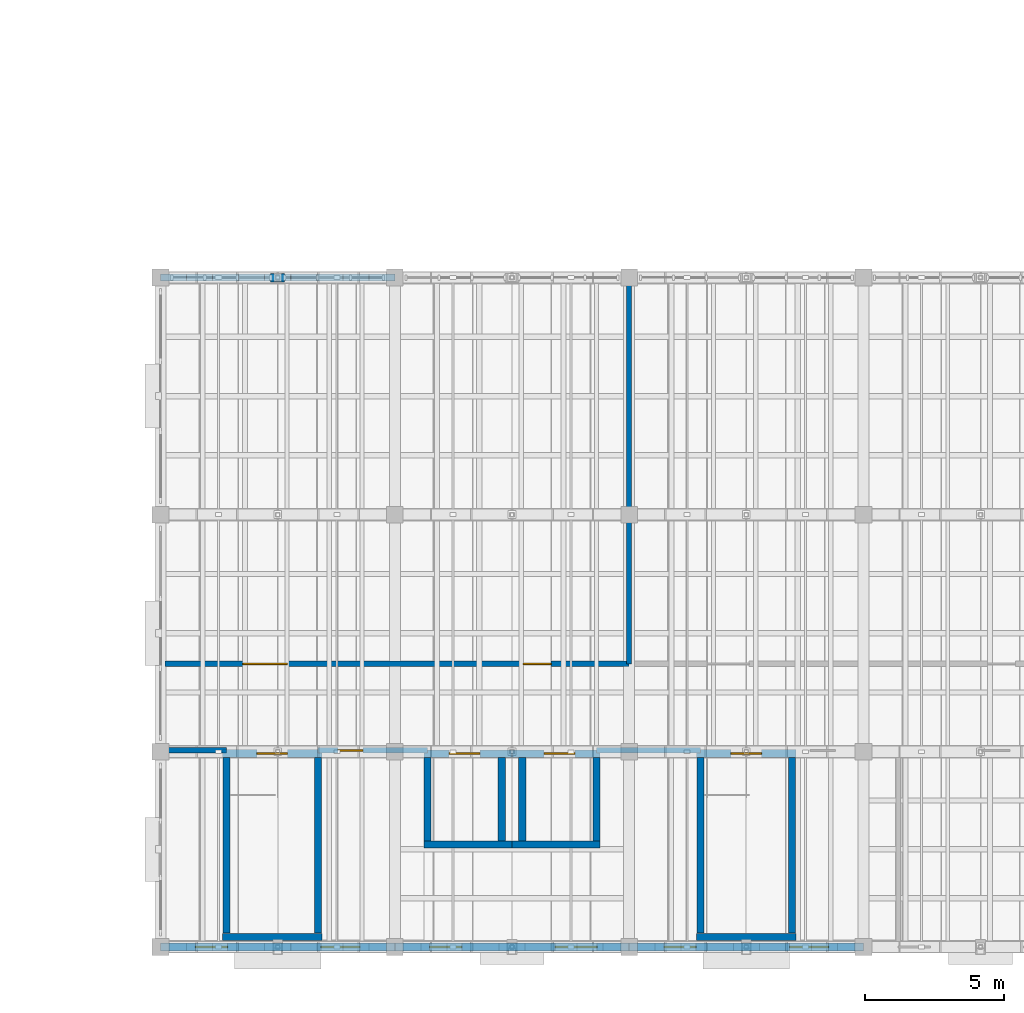
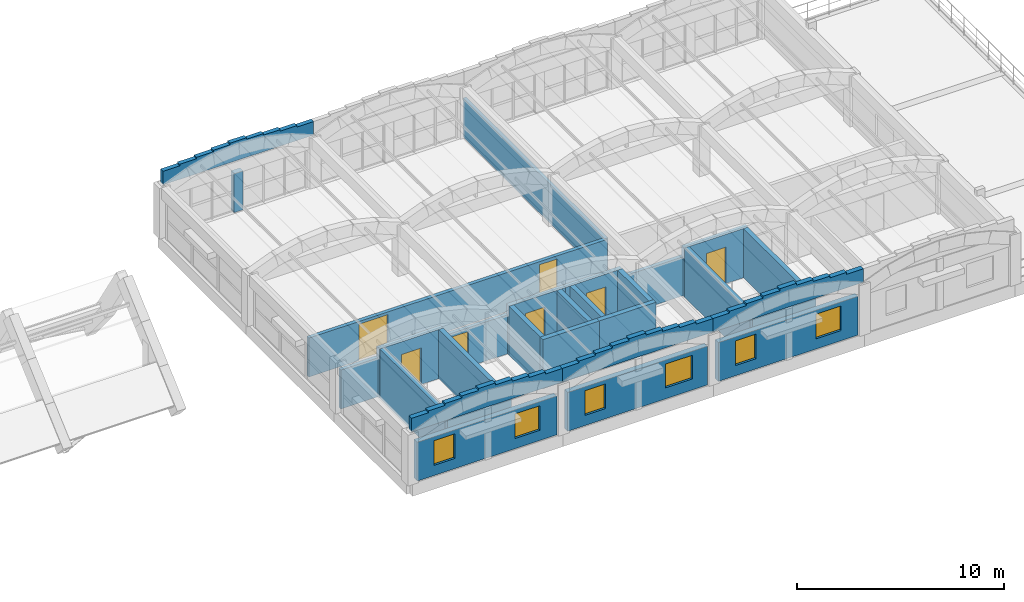
# One storey, part 30 of 40: 29 walls, 7 doors, 6 windows, 13 openings.
"""IFC4 building model written with IfcOpenShell, lengths in metres."""

from ifc_helpers import new_model, si_unit, direction, frame, frame_2d, origin, place, context, subcontext, project, spatial, polyline, rectangle, outline, extrude, material, layer, layer_set, type_object, element, fill, save


model = new_model("IFC4")

# Units and contexts
model_context = context("Model", 3, precision=1e-05, world=origin(), true_north=direction((0.0, 1.0)))
body_context = subcontext(model_context, "Body", "Model", "MODEL_VIEW")
ifc_project = project(units=[si_unit("LENGTHUNIT", "METRE"), si_unit("AREAUNIT", "SQUARE_METRE"), si_unit("VOLUMEUNIT", "CUBIC_METRE"), si_unit("PLANEANGLEUNIT", "RADIAN"), si_unit("MASSUNIT", "GRAM", prefix="KILO")], contexts=[model_context])

# Site, building, storey
site_placement = place(None, origin())
site = spatial("IfcSite", under=ifc_project, at=site_placement, CompositionType="ELEMENT")
building_placement = place(site_placement, origin())
building = spatial("IfcBuilding", under=site, at=building_placement, Name="Trellovar Central Fire Station", CompositionType="ELEMENT")
storey_placement = place(building_placement, frame((0.0, 0.0, 12.75)))
storey = spatial("IfcBuildingStorey", under=building, at=storey_placement, Name="L04", CompositionType="ELEMENT", Elevation=12.75)

# Wall, openings, windows
ifc_material_1 = material(Name="Glazed ceramic trencadis and terracotta panel", Category="masonry")
ifc_layer_1 = layer(ifc_material_1, 0.300048828125)
ifc_layer_set_1 = layer_set([ifc_layer_1], Name="Glazed ceramic trencadis and terracotta panel")
wall_type_1 = type_object("IfcWallType", Name="EW-4", PredefinedType="STANDARD", material=ifc_layer_set_1)
wall_1_placement = place(storey_placement, frame((105.800048828125, 9.0, 0.0), z_axis=(0.0, 0.0, 1.0), x_axis=(1.0, 0.0, 0.0)))
wall_1 = element("IfcWall", 1, at=wall_1_placement, inside=storey, type_object=wall_type_1, Name="V5 L04 south wall 1", PredefinedType="STANDARD", context=body_context, shape_type="SweptSolid", body=[
    extrude(rectangle(XDim=7.800048828125, YDim=0.300048828125, at=frame_2d((3.89990234375, 0.0))), origin(), (0.0, 0.0, 1.0), 2.2900390625),
])
opening_1_placement = place(wall_1_placement, frame((0.949951171875, 0.0, 0.60009765625)))
opening_1 = element("IfcOpeningElement", 2, at=opening_1_placement, cuts=wall_1, Name="Opening W-01", PredefinedType="OPENING", context=body_context, shape_type="SweptSolid", body=[
    extrude(rectangle(XDim=1.14990234375, YDim=1.449951171875, at=frame_2d((0.574951171875, 0.72509765625))), frame((0.0, 0.159912109375, 0.0), z_axis=(0.0, -1.0, 0.0), x_axis=(1.0, 0.0, 0.0)), (0.0, 0.0, 1.0), 0.320068359375),
])
opening_2_placement = place(wall_1_placement, frame((5.449951171875, 0.0, 0.60009765625)))
opening_2 = element("IfcOpeningElement", 3, at=opening_2_placement, cuts=wall_1, Name="Opening W-22", PredefinedType="OPENING", context=body_context, shape_type="SweptSolid", body=[
    extrude(rectangle(XDim=1.39990234375, YDim=1.449951171875, at=frame_2d((0.699951171875, 0.72509765625))), frame((0.0, 0.159912109375, 0.0), z_axis=(0.0, -1.0, 0.0), x_axis=(1.0, 0.0, 0.0)), (0.0, 0.0, 1.0), 0.320068359375),
])
ifc_material_2 = material(Name="Thermally broken bronze anodized aluminum", Category="aluminium")
window_type_1 = type_object("IfcWindowType", Name="WIN-01", PartitioningType="SINGLE_PANEL", PredefinedType="WINDOW", material=ifc_material_2)
window_1_placement = place(opening_1_placement, origin())
window_1 = element("IfcWindow", 4, at=window_1_placement, inside=storey, type_object=window_type_1, Name="L04 window W-01", OverallHeight=1.449951171875, OverallWidth=1.14990234375, PartitioningType="SINGLE_PANEL", PredefinedType="WINDOW", context=body_context, shape_type="SweptSolid", body=[
    extrude(rectangle(XDim=1.14990234375, YDim=1.449951171875, at=frame_2d((0.574951171875, 0.72509765625))), frame((0.0, 0.030029296875, 0.0), z_axis=(0.0, -1.0, 0.0), x_axis=(1.0, 0.0, 0.0)), (0.0, 0.0, 1.0), 0.06005859375),
])
fill(opening_1, window_1)
ifc_material_3 = material(Name="Thermally broken bronze anodized aluminum", Category="aluminium")
window_type_2 = type_object("IfcWindowType", Name="WIN-22", PartitioningType="DOUBLE_PANEL_VERTICAL", PredefinedType="WINDOW", material=ifc_material_3)
window_2_placement = place(opening_2_placement, origin())
window_2 = element("IfcWindow", 5, at=window_2_placement, inside=storey, type_object=window_type_2, Name="L04 window W-22", OverallHeight=1.449951171875, OverallWidth=1.39990234375, PartitioningType="DOUBLE_PANEL_VERTICAL", PredefinedType="WINDOW", context=body_context, shape_type="SweptSolid", body=[
    extrude(rectangle(XDim=1.39990234375, YDim=1.449951171875, at=frame_2d((0.699951171875, 0.72509765625))), frame((0.0, 0.030029296875, 0.0), z_axis=(0.0, -1.0, 0.0), x_axis=(1.0, 0.0, 0.0)), (0.0, 0.0, 1.0), 0.06005859375),
])
fill(opening_2, window_2)

wall_2_placement = place(storey_placement, frame((114.199951171875, 9.0, 0.0), z_axis=(0.0, 0.0, 1.0), x_axis=(1.0, 0.0, 0.0)))
wall_2 = element("IfcWall", 6, at=wall_2_placement, inside=storey, type_object=wall_type_1, Name="V5 L04 south wall 2", PredefinedType="STANDARD", context=body_context, shape_type="SweptSolid", body=[
    extrude(rectangle(XDim=7.800048828125, YDim=0.300048828125, at=frame_2d((3.89990234375, 0.0))), origin(), (0.0, 0.0, 1.0), 2.2900390625),
])
opening_3_placement = place(wall_2_placement, frame((0.949951171875, 0.0, 0.60009765625)))
opening_3 = element("IfcOpeningElement", 7, at=opening_3_placement, cuts=wall_2, Name="Opening W-01", PredefinedType="OPENING", context=body_context, shape_type="SweptSolid", body=[
    extrude(rectangle(XDim=1.14990234375, YDim=1.449951171875, at=frame_2d((0.574951171875, 0.72509765625))), frame((0.0, 0.159912109375, 0.0), z_axis=(0.0, -1.0, 0.0), x_axis=(1.0, 0.0, 0.0)), (0.0, 0.0, 1.0), 0.320068359375),
])
opening_4_placement = place(wall_2_placement, frame((5.449951171875, 0.0, 0.64990234375)))
opening_4 = element("IfcOpeningElement", 8, at=opening_4_placement, cuts=wall_2, Name="Opening W-18", PredefinedType="OPENING", context=body_context, shape_type="SweptSolid", body=[
    extrude(rectangle(XDim=1.5, YDim=1.39990234375, at=frame_2d((0.75, 0.699951171875))), frame((0.0, 0.159912109375, 0.0), z_axis=(0.0, -1.0, 0.0), x_axis=(1.0, 0.0, 0.0)), (0.0, 0.0, 1.0), 0.320068359375),
])
window_3_placement = place(opening_3_placement, origin())
window_3 = element("IfcWindow", 9, at=window_3_placement, inside=storey, type_object=window_type_1, Name="L04 window W-01", OverallHeight=1.449951171875, OverallWidth=1.14990234375, PartitioningType="SINGLE_PANEL", PredefinedType="WINDOW", context=body_context, shape_type="SweptSolid", body=[
    extrude(rectangle(XDim=1.14990234375, YDim=1.449951171875, at=frame_2d((0.574951171875, 0.72509765625))), frame((0.0, 0.030029296875, 0.0), z_axis=(0.0, -1.0, 0.0), x_axis=(1.0, 0.0, 0.0)), (0.0, 0.0, 1.0), 0.06005859375),
])
fill(opening_3, window_3)
ifc_material_4 = material(Name="Thermally broken bronze anodized aluminum", Category="aluminium")
window_type_3 = type_object("IfcWindowType", Name="WIN-18", PartitioningType="DOUBLE_PANEL_VERTICAL", PredefinedType="WINDOW", material=ifc_material_4)
window_4_placement = place(opening_4_placement, origin())
window_4 = element("IfcWindow", 10, at=window_4_placement, inside=storey, type_object=window_type_3, Name="L04 window W-18", OverallHeight=1.39990234375, OverallWidth=1.5, PartitioningType="DOUBLE_PANEL_VERTICAL", PredefinedType="WINDOW", context=body_context, shape_type="SweptSolid", body=[
    extrude(rectangle(XDim=1.5, YDim=1.39990234375, at=frame_2d((0.75, 0.699951171875))), frame((0.0, 0.030029296875, 0.0), z_axis=(0.0, -1.0, 0.0), x_axis=(1.0, 0.0, 0.0)), (0.0, 0.0, 1.0), 0.06005859375),
])
fill(opening_4, window_4)

wall_3_placement = place(storey_placement, frame((122.60009765625, 9.0, 0.0), z_axis=(0.0, 0.0, 1.0), x_axis=(1.0, 0.0, 0.0)))
wall_3 = element("IfcWall", 11, at=wall_3_placement, inside=storey, type_object=wall_type_1, Name="V5 L04 south wall 3", PredefinedType="STANDARD", context=body_context, shape_type="SweptSolid", body=[
    extrude(rectangle(XDim=7.7998046875, YDim=0.300048828125, at=frame_2d((3.89990234375, 0.0))), origin(), (0.0, 0.0, 1.0), 2.2900390625),
])
opening_5_placement = place(wall_3_placement, frame((0.949951171875, 0.0, 0.60009765625)))
opening_5 = element("IfcOpeningElement", 12, at=opening_5_placement, cuts=wall_3, Name="Opening W-01", PredefinedType="OPENING", context=body_context, shape_type="SweptSolid", body=[
    extrude(rectangle(XDim=1.14990234375, YDim=1.449951171875, at=frame_2d((0.574951171875, 0.72509765625))), frame((0.0, 0.159912109375, 0.0), z_axis=(0.0, -1.0, 0.0), x_axis=(1.0, 0.0, 0.0)), (0.0, 0.0, 1.0), 0.320068359375),
])
opening_6_placement = place(wall_3_placement, frame((5.449951171875, 0.0, 0.60009765625)))
opening_6 = element("IfcOpeningElement", 13, at=opening_6_placement, cuts=wall_3, Name="Opening W-22", PredefinedType="OPENING", context=body_context, shape_type="SweptSolid", body=[
    extrude(rectangle(XDim=1.39990234375, YDim=1.449951171875, at=frame_2d((0.699951171875, 0.72509765625))), frame((0.0, 0.159912109375, 0.0), z_axis=(0.0, -1.0, 0.0), x_axis=(1.0, 0.0, 0.0)), (0.0, 0.0, 1.0), 0.320068359375),
])
window_5_placement = place(opening_5_placement, origin())
window_5 = element("IfcWindow", 14, at=window_5_placement, inside=storey, type_object=window_type_1, Name="L04 window W-01", OverallHeight=1.449951171875, OverallWidth=1.14990234375, PartitioningType="SINGLE_PANEL", PredefinedType="WINDOW", context=body_context, shape_type="SweptSolid", body=[
    extrude(rectangle(XDim=1.14990234375, YDim=1.449951171875, at=frame_2d((0.574951171875, 0.72509765625))), frame((0.0, 0.030029296875, 0.0), z_axis=(0.0, -1.0, 0.0), x_axis=(1.0, 0.0, 0.0)), (0.0, 0.0, 1.0), 0.06005859375),
])
fill(opening_5, window_5)
window_6_placement = place(opening_6_placement, origin())
window_6 = element("IfcWindow", 15, at=window_6_placement, inside=storey, type_object=window_type_2, Name="L04 window W-22", OverallHeight=1.449951171875, OverallWidth=1.39990234375, PartitioningType="DOUBLE_PANEL_VERTICAL", PredefinedType="WINDOW", context=body_context, shape_type="SweptSolid", body=[
    extrude(rectangle(XDim=1.39990234375, YDim=1.449951171875, at=frame_2d((0.699951171875, 0.72509765625))), frame((0.0, 0.030029296875, 0.0), z_axis=(0.0, -1.0, 0.0), x_axis=(1.0, 0.0, 0.0)), (0.0, 0.0, 1.0), 0.06005859375),
])
fill(opening_6, window_6)

# Walls
wall_4_placement = place(storey_placement, frame((109.949951171875, 33.0, 0.0), z_axis=(0.0, 0.0, 1.0), x_axis=(-1.0, 0.0, 0.0)))
element("IfcWall", 16, at=wall_4_placement, inside=storey, type_object=wall_type_1, Name="V5 L04 north mullion pier", PredefinedType="STANDARD", context=body_context, shape_type="SweptSolid", body=[
    extrude(rectangle(XDim=0.5, YDim=0.300048828125, at=frame_2d((0.25, 0.0))), origin(), (0.0, 0.0, 1.0), 2.2900390625),
])
ifc_material_5 = material(Name="Catalan polychrome brickwork with insulated cavity", Category="masonry")
ifc_layer_2 = layer(ifc_material_5, 0.280029296875)
ifc_layer_set_2 = layer_set([ifc_layer_2], Name="Catalan polychrome brickwork with insulated cavity")
wall_type_2 = type_object("IfcWallType", Name="PAR-1", PredefinedType="PARAPET", material=ifc_layer_set_2)
wall_5_placement = place(storey_placement, frame((105.5, 9.0, 3.0), z_axis=(0.0, 0.0, 1.0), x_axis=(1.0, 0.0, 0.0)))
element("IfcWall", 17, at=wall_5_placement, inside=storey, type_object=wall_type_2, Name="L04 Catalan stepped parapet", PredefinedType="PARAPET", context=body_context, shape_type="SweptSolid", body=[
    extrude(outline(polyline([(0.0, 0.0), (8.39990234375, 0.0), (8.39990234375, 0.800048828125), (7.4677734375, 0.800048828125), (7.466796875, 0.91259765625), (6.5341796875, 0.91259765625), (6.533203125, 1.02490234375), (5.60107421875, 1.02490234375), (5.60009765625, 1.137451171875), (4.667724609375, 1.137451171875), (4.666748046875, 1.25), (3.734375, 1.25), (3.7333984375, 1.137451171875), (2.801025390625, 1.137451171875), (2.800048828125, 1.02490234375), (1.86767578125, 1.02490234375), (1.86669921875, 0.91259765625), (0.934326171875, 0.91259765625), (0.933349609375, 0.800048828125), (0.0, 0.800048828125), (0.0, 0.0)])), frame((0.0, 0.14013671875, 0.0), z_axis=(0.0, -1.0, 0.0), x_axis=(1.0, 0.0, 0.0)), (0.0, 0.0, 1.0), 0.280029296875),
])
wall_6_placement = place(storey_placement, frame((113.89990234375, 9.0, 3.0), z_axis=(0.0, 0.0, 1.0), x_axis=(1.0, 0.0, 0.0)))
element("IfcWall", 18, at=wall_6_placement, inside=storey, type_object=wall_type_2, Name="L04 Catalan stepped parapet", PredefinedType="PARAPET", context=body_context, shape_type="SweptSolid", body=[
    extrude(outline(polyline([(0.0, 0.0), (8.400146484375, 0.0), (8.39990234375, 0.800048828125), (7.4677734375, 0.800048828125), (7.466796875, 0.91259765625), (6.5341796875, 0.91259765625), (6.533203125, 1.02490234375), (5.60107421875, 1.02490234375), (5.60009765625, 1.137451171875), (4.667724609375, 1.137451171875), (4.666748046875, 1.25), (3.734375, 1.25), (3.7333984375, 1.137451171875), (2.801025390625, 1.137451171875), (2.800048828125, 1.02490234375), (1.86767578125, 1.02490234375), (1.86669921875, 0.91259765625), (0.934326171875, 0.91259765625), (0.933349609375, 0.800048828125), (0.0, 0.800048828125), (0.0, 0.0)])), frame((0.0, 0.14013671875, 0.0), z_axis=(0.0, -1.0, 0.0), x_axis=(1.0, 0.0, 0.0)), (0.0, 0.0, 1.0), 0.280029296875),
])
wall_7_placement = place(storey_placement, frame((122.300048828125, 9.0, 3.0), z_axis=(0.0, 0.0, 1.0), x_axis=(1.0, 0.0, 0.0)))
element("IfcWall", 19, at=wall_7_placement, inside=storey, type_object=wall_type_2, Name="L04 Catalan stepped parapet", PredefinedType="PARAPET", context=body_context, shape_type="SweptSolid", body=[
    extrude(outline(polyline([(0.0, 0.0), (8.39990234375, 0.0), (8.39990234375, 0.800048828125), (7.4677734375, 0.800048828125), (7.466796875, 0.91259765625), (6.5341796875, 0.91259765625), (6.533203125, 1.02490234375), (5.60107421875, 1.02490234375), (5.60009765625, 1.137451171875), (4.667724609375, 1.137451171875), (4.666748046875, 1.25), (3.734375, 1.25), (3.7333984375, 1.137451171875), (2.801025390625, 1.137451171875), (2.800048828125, 1.02490234375), (1.86767578125, 1.02490234375), (1.86669921875, 0.91259765625), (0.934326171875, 0.91259765625), (0.933349609375, 0.800048828125), (0.0, 0.800048828125), (0.0, 0.0)])), frame((0.0, 0.14013671875, 0.0), z_axis=(0.0, -1.0, 0.0), x_axis=(1.0, 0.0, 0.0)), (0.0, 0.0, 1.0), 0.280029296875),
])
ifc_material_6 = material(Name="Glazed ceramic trencadis and terracotta panel", Category="masonry")
ifc_layer_3 = layer(ifc_material_6, 0.239990234375)
ifc_layer_set_3 = layer_set([ifc_layer_3], Name="Glazed ceramic trencadis and terracotta panel")
wall_type_3 = type_object("IfcWallType", Name="PAR-2", PredefinedType="PARAPET", material=ifc_layer_set_3)
wall_8_placement = place(storey_placement, frame((105.5, 33.0, 3.0), z_axis=(0.0, 0.0, 1.0), x_axis=(1.0, 0.0, 0.0)))
element("IfcWall", 20, at=wall_8_placement, inside=storey, type_object=wall_type_3, Name="L04 Catalan stepped parapet", PredefinedType="PARAPET", context=body_context, shape_type="SweptSolid", body=[
    extrude(outline(polyline([(0.0, 0.0), (8.39990234375, 0.0), (8.39990234375, 0.800048828125), (7.4677734375, 0.800048828125), (7.466796875, 0.887451171875), (6.5341796875, 0.887451171875), (6.533203125, 0.97509765625), (5.60107421875, 0.97509765625), (5.60009765625, 1.0625), (4.667724609375, 1.0625), (4.666748046875, 1.14990234375), (3.734375, 1.14990234375), (3.7333984375, 1.0625), (2.801025390625, 1.0625), (2.800048828125, 0.97509765625), (1.86767578125, 0.97509765625), (1.86669921875, 0.887451171875), (0.934326171875, 0.887451171875), (0.933349609375, 0.800048828125), (0.0, 0.800048828125), (0.0, 0.0)])), frame((0.0, 0.1201171875, 0.0), z_axis=(0.0, -1.0, 0.0), x_axis=(1.0, 0.0, 0.0)), (0.0, 0.0, 1.0), 0.239990234375),
])
ifc_material_7 = material(Name="Acoustic concrete masonry unit", Category="masonry")
ifc_layer_4 = layer(ifc_material_7, 0.199951171875)
ifc_layer_set_4 = layer_set([ifc_layer_4], Name="Acoustic concrete masonry unit")
wall_type_4 = type_object("IfcWallType", Name="PT-1", PredefinedType="PARTITIONING", material=ifc_layer_set_4)
wall_9_placement = place(storey_placement, frame((105.64990234375, 16.050048828125, 0.0), z_axis=(0.0, 0.0, 1.0), x_axis=(1.0, 0.0, 0.0)))
element("IfcWall", 21, at=wall_9_placement, inside=storey, type_object=wall_type_4, Name="V5 L04 south corridor spine", PredefinedType="PARTITIONING", context=body_context, shape_type="SweptSolid", body=[
    extrude(rectangle(XDim=2.210205078125, YDim=0.199951171875, at=frame_2d((1.10498046875, 0.0))), origin(), (0.0, 0.0, 1.0), 2.300048828125),
])

# Wall, opening, door
wall_10_placement = place(storey_placement, frame((111.139892578125, 16.050048828125, 0.0), z_axis=(0.0, 0.0, 1.0), x_axis=(1.0, 0.0, 0.0)))
wall_10 = element("IfcWall", 22, at=wall_10_placement, inside=storey, type_object=wall_type_4, Name="V5 L04 south corridor spine", PredefinedType="PARTITIONING", context=body_context, shape_type="SweptSolid", body=[
    extrude(rectangle(XDim=3.93017578125, YDim=0.199951171875, at=frame_2d((1.965087890625, 0.0))), origin(), (0.0, 0.0, 1.0), 2.300048828125),
])
opening_7_placement = place(wall_10_placement, frame((0.715087890625, 0.0, 0.0)))
opening_7 = element("IfcOpeningElement", 23, at=opening_7_placement, cuts=wall_10, Name="Opening ID-11", PredefinedType="OPENING", context=body_context, shape_type="SweptSolid", body=[
    extrude(rectangle(XDim=0.89990234375, YDim=2.080078125, at=frame_2d((0.449951171875, 1.0400390625))), frame((0.0, 0.10986328125, 0.0), z_axis=(0.0, -1.0, 0.0), x_axis=(1.0, 0.0, 0.0)), (0.0, 0.0, 1.0), 0.219970703125),
])
ifc_material_8 = material(Name="Solid core acoustic white oak veneer", Category="wood")
door_type_1 = type_object("IfcDoorType", Name="DR-INT11", OperationType="SINGLE_SWING_LEFT", PredefinedType="DOOR", material=ifc_material_8)
door_1_placement = place(opening_7_placement, origin())
door_1 = element("IfcDoor", 24, at=door_1_placement, inside=storey, type_object=door_type_1, Name="V5 L04 south bay door", OperationType="SINGLE_SWING_LEFT", OverallHeight=2.080078125, OverallWidth=0.89990234375, PredefinedType="DOOR", context=body_context, shape_type="SweptSolid", body=[
    extrude(rectangle(XDim=0.89990234375, YDim=2.080078125, at=frame_2d((0.449951171875, 1.0400390625))), frame((0.0, 0.02490234375, 0.0), z_axis=(0.0, -1.0, 0.0), x_axis=(1.0, 0.0, 0.0)), (0.0, 0.0, 1.0), 0.050048828125),
])
fill(opening_7, door_1)

# Wall
wall_11_placement = place(storey_placement, frame((121.1298828125, 16.050048828125, 0.0), z_axis=(0.0, 0.0, 1.0), x_axis=(1.0, 0.0, 0.0)))
element("IfcWall", 25, at=wall_11_placement, inside=storey, type_object=wall_type_4, Name="V5 L04 south corridor spine", PredefinedType="PARTITIONING", context=body_context, shape_type="SweptSolid", body=[
    extrude(rectangle(XDim=3.730224609375, YDim=0.199951171875, at=frame_2d((1.865234375, 0.0))), origin(), (0.0, 0.0, 1.0), 2.300048828125),
])

# Wall, openings, doors
wall_12_placement = place(storey_placement, frame((105.64990234375, 19.14990234375, 0.0), z_axis=(0.0, 0.0, 1.0), x_axis=(1.0, 0.0, 0.0)))
wall_12 = element("IfcWall", 26, at=wall_12_placement, inside=storey, type_object=wall_type_4, Name="V5 L04 north corridor spine", PredefinedType="PARTITIONING", context=body_context, shape_type="SweptSolid", body=[
    extrude(rectangle(XDim=16.650146484375, YDim=0.199951171875, at=frame_2d((8.3251953125, 0.0))), origin(), (0.0, 0.0, 1.0), 2.300048828125),
])
opening_8_placement = place(wall_12_placement, frame((2.800048828125, 0.0, 0.0)))
opening_8 = element("IfcOpeningElement", 27, at=opening_8_placement, cuts=wall_12, Name="Opening ID-4", PredefinedType="OPENING", context=body_context, shape_type="SweptSolid", body=[
    extrude(rectangle(XDim=1.60009765625, YDim=2.139892578125, at=frame_2d((0.800048828125, 1.06982421875))), frame((0.0, 0.10986328125, 0.0), z_axis=(0.0, -1.0, 0.0), x_axis=(1.0, 0.0, 0.0)), (0.0, 0.0, 1.0), 0.219970703125),
])
opening_9_placement = place(wall_12_placement, frame((12.85009765625, 0.0, 0.0)))
opening_9 = element("IfcOpeningElement", 28, at=opening_9_placement, cuts=wall_12, Name="Opening ID-1", PredefinedType="OPENING", context=body_context, shape_type="SweptSolid", body=[
    extrude(rectangle(XDim=1.0, YDim=2.1201171875, at=frame_2d((0.5, 1.06005859375))), frame((0.0, 0.10986328125, 0.0), z_axis=(0.0, -1.0, 0.0), x_axis=(1.0, 0.0, 0.0)), (0.0, 0.0, 1.0), 0.219970703125),
])
ifc_material_9 = material(Name="Solid core acoustic white oak veneer", Category="wood")
door_type_2 = type_object("IfcDoorType", Name="DR-INT1", OperationType="SINGLE_SWING_LEFT", PredefinedType="DOOR", material=ifc_material_9)
door_2_placement = place(opening_9_placement, origin())
door_2 = element("IfcDoor", 29, at=door_2_placement, inside=storey, type_object=door_type_2, Name="V5 L04 north secondary egress door", OperationType="SINGLE_SWING_RIGHT", OverallHeight=2.1201171875, OverallWidth=1.0, PredefinedType="DOOR", context=body_context, shape_type="SweptSolid", body=[
    extrude(rectangle(XDim=1.0, YDim=2.1201171875, at=frame_2d((0.5, 1.06005859375))), frame((0.0, 0.02490234375, 0.0), z_axis=(0.0, -1.0, 0.0), x_axis=(1.0, 0.0, 0.0)), (0.0, 0.0, 1.0), 0.050048828125),
])
fill(opening_9, door_2)
ifc_material_10 = material(Name="Solid core acoustic white oak veneer", Category="wood")
door_type_3 = type_object("IfcDoorType", Name="DR-INT4", OperationType="DOUBLE_DOOR_SINGLE_SWING", PredefinedType="DOOR", material=ifc_material_10)
door_3_placement = place(opening_8_placement, origin())
door_3 = element("IfcDoor", 30, at=door_3_placement, inside=storey, type_object=door_type_3, Name="V5 L04 north hall door", OperationType="DOUBLE_DOOR_SINGLE_SWING", OverallHeight=2.139892578125, OverallWidth=1.60009765625, PredefinedType="DOOR", context=body_context, shape_type="SweptSolid", body=[
    extrude(rectangle(XDim=1.60009765625, YDim=2.139892578125, at=frame_2d((0.800048828125, 1.06982421875))), frame((0.0, 0.02490234375, 0.0), z_axis=(0.0, -1.0, 0.0), x_axis=(1.0, 0.0, 0.0)), (0.0, 0.0, 1.0), 0.050048828125),
])
fill(opening_8, door_3)

# Wall
ifc_material_11 = material(Name="Acoustic concrete masonry unit", Category="masonry")
ifc_layer_5 = layer(ifc_material_11, 0.179931640625)
ifc_layer_set_5 = layer_set([ifc_layer_5], Name="Acoustic concrete masonry unit")
wall_type_5 = type_object("IfcWallType", Name="PT-5", PredefinedType="PARTITIONING", material=ifc_layer_set_5)
wall_13_placement = place(storey_placement, frame((122.300048828125, 19.14990234375, 0.0), z_axis=(0.0, 0.0, 1.0), x_axis=(0.0, 1.0, 0.0)))
element("IfcWall", 31, at=wall_13_placement, inside=storey, type_object=wall_type_5, Name="V5 L04 north bay divider X=122.3", PredefinedType="PARTITIONING", context=body_context, shape_type="SweptSolid", body=[
    extrude(rectangle(XDim=13.7001953125, YDim=0.179931640625, at=frame_2d((6.85009765625, 0.0))), origin(), (0.0, 0.0, 1.0), 2.300048828125),
])

# Wall, opening, door
ifc_material_12 = material(Name="Concrete C40/50", Category="concrete")
ifc_layer_6 = layer(ifc_material_12, 0.280029296875)
ifc_layer_set_6 = layer_set([ifc_layer_6], Name="Concrete C40/50")
wall_type_6 = type_object("IfcWallType", Name="SW-1", PredefinedType="SHEAR", material=ifc_layer_set_6)
wall_14_placement = place(storey_placement, frame((107.719970703125, 15.93994140625, 0.0), z_axis=(0.0, 0.0, 1.0), x_axis=(1.0, 0.0, 0.0)))
wall_14 = element("IfcWall", 32, at=wall_14_placement, inside=storey, type_object=wall_type_6, Name="Stair ST-01 L04 front corridor wall", PredefinedType="SHEAR", context=body_context, shape_type="SweptSolid", body=[
    extrude(rectangle(XDim=3.56005859375, YDim=0.280029296875, at=frame_2d((1.780029296875, 0.0))), origin(), (0.0, 0.0, 1.0), 2.89990234375),
])
opening_10_placement = place(wall_14_placement, frame((1.22998046875, 0.0, 0.0)))
opening_10 = element("IfcOpeningElement", 33, at=opening_10_placement, cuts=wall_14, Name="Opening SD-2", PredefinedType="OPENING", context=body_context, shape_type="SweptSolid", body=[
    extrude(rectangle(XDim=1.10009765625, YDim=2.14990234375, at=frame_2d((0.550048828125, 1.074951171875))), frame((0.0, 0.14990234375, 0.0), z_axis=(0.0, -1.0, 0.0), x_axis=(1.0, 0.0, 0.0)), (0.0, 0.0, 1.0), 0.300048828125),
])
ifc_material_13 = material(Name="Hollow galvanized steel with acoustic core", Category="steel")
door_type_4 = type_object("IfcDoorType", Name="DR-STR2", OperationType="SINGLE_SWING_LEFT", PredefinedType="DOOR", material=ifc_material_13)
door_4_placement = place(opening_10_placement, origin())
door_4 = element("IfcDoor", 34, at=door_4_placement, inside=storey, type_object=door_type_4, Name="Stair ST-01 L04 fire door", OperationType="SINGLE_SWING_RIGHT", OverallHeight=2.14990234375, OverallWidth=1.10009765625, PredefinedType="DOOR", context=body_context, shape_type="SweptSolid", body=[
    extrude(rectangle(XDim=1.10009765625, YDim=2.14990234375, at=frame_2d((0.550048828125, 1.074951171875))), frame((0.0, 0.02490234375, 0.0), z_axis=(0.0, -1.0, 0.0), x_axis=(1.0, 0.0, 0.0)), (0.0, 0.0, 1.0), 0.050048828125),
])
fill(opening_10, door_4)

wall_15_placement = place(storey_placement, frame((124.719970703125, 15.93994140625, 0.0), z_axis=(0.0, 0.0, 1.0), x_axis=(1.0, 0.0, 0.0)))
wall_15 = element("IfcWall", 35, at=wall_15_placement, inside=storey, type_object=wall_type_6, Name="Stair ST-02 L04 front corridor wall", PredefinedType="SHEAR", context=body_context, shape_type="SweptSolid", body=[
    extrude(rectangle(XDim=3.56005859375, YDim=0.280029296875, at=frame_2d((1.780029296875, 0.0))), origin(), (0.0, 0.0, 1.0), 2.89990234375),
])
opening_11_placement = place(wall_15_placement, frame((1.22998046875, 0.0, 0.0)))
opening_11 = element("IfcOpeningElement", 36, at=opening_11_placement, cuts=wall_15, Name="Opening SD-2", PredefinedType="OPENING", context=body_context, shape_type="SweptSolid", body=[
    extrude(rectangle(XDim=1.10009765625, YDim=2.14990234375, at=frame_2d((0.550048828125, 1.074951171875))), frame((0.0, 0.14990234375, 0.0), z_axis=(0.0, -1.0, 0.0), x_axis=(1.0, 0.0, 0.0)), (0.0, 0.0, 1.0), 0.300048828125),
])
door_5_placement = place(opening_11_placement, origin())
door_5 = element("IfcDoor", 37, at=door_5_placement, inside=storey, type_object=door_type_4, Name="Stair ST-02 L04 fire door", OperationType="SINGLE_SWING_RIGHT", OverallHeight=2.14990234375, OverallWidth=1.10009765625, PredefinedType="DOOR", context=body_context, shape_type="SweptSolid", body=[
    extrude(rectangle(XDim=1.10009765625, YDim=2.14990234375, at=frame_2d((0.550048828125, 1.074951171875))), frame((0.0, 0.02490234375, 0.0), z_axis=(0.0, -1.0, 0.0), x_axis=(1.0, 0.0, 0.0)), (0.0, 0.0, 1.0), 0.050048828125),
])
fill(opening_11, door_5)

# Walls
ifc_material_14 = material(Name="Concrete C40/50", Category="concrete")
ifc_layer_7 = layer(ifc_material_14, 0.25)
ifc_layer_set_7 = layer_set([ifc_layer_7], Name="Concrete C40/50")
wall_type_7 = type_object("IfcWallType", Name="SW-2", PredefinedType="SHEAR", material=ifc_layer_set_7)
wall_16_placement = place(storey_placement, frame((111.280029296875, 9.360107421875, 0.0), z_axis=(0.0, 0.0, 1.0), x_axis=(-1.0, 0.0, 0.0)))
element("IfcWall", 38, at=wall_16_placement, inside=storey, type_object=wall_type_7, Name="Stair ST-01 L04 rear wall", PredefinedType="SHEAR", context=body_context, shape_type="SweptSolid", body=[
    extrude(rectangle(XDim=3.56005859375, YDim=0.25, at=frame_2d((1.780029296875, 0.0))), origin(), (0.0, 0.0, 1.0), 2.89990234375),
])
for number, where, z_axis, x_axis, name in (
    (39, (107.860107421875, 15.800048828125, 0.0), (0.0, 0.0, 1.0), (0.0, -1.0, 0.0), "Stair ST-01 L04 left wall"),
    (40, (111.139892578125, 9.5, 0.0), (0.0, 0.0, 1.0), (0.0, 1.0, 0.0), "Stair ST-01 L04 right wall"),
):
    element("IfcWall", number, at=place(storey_placement, frame(where, z_axis=z_axis, x_axis=x_axis)), inside=storey, type_object=wall_type_7, Name=name, PredefinedType="SHEAR", context=body_context, shape_type="SweptSolid", body=[
        extrude(rectangle(XDim=6.300048828125, YDim=0.25, at=frame_2d((3.14990234375, 0.0))), origin(), (0.0, 0.0, 1.0), 2.89990234375),
    ])
wall_17_placement = place(storey_placement, frame((128.280029296875, 9.360107421875, 0.0), z_axis=(0.0, 0.0, 1.0), x_axis=(-1.0, 0.0, 0.0)))
element("IfcWall", 41, at=wall_17_placement, inside=storey, type_object=wall_type_7, Name="Stair ST-02 L04 rear wall", PredefinedType="SHEAR", context=body_context, shape_type="SweptSolid", body=[
    extrude(rectangle(XDim=3.56005859375, YDim=0.25, at=frame_2d((1.780029296875, 0.0))), origin(), (0.0, 0.0, 1.0), 2.89990234375),
])
for number, where, z_axis, x_axis, name in (
    (42, (124.860107421875, 15.800048828125, 0.0), (0.0, 0.0, 1.0), (0.0, -1.0, 0.0), "Stair ST-02 L04 left wall"),
    (43, (128.139892578125, 9.5, 0.0), (0.0, 0.0, 1.0), (0.0, 1.0, 0.0), "Stair ST-02 L04 right wall"),
):
    element("IfcWall", number, at=place(storey_placement, frame(where, z_axis=z_axis, x_axis=x_axis)), inside=storey, type_object=wall_type_7, Name=name, PredefinedType="SHEAR", context=body_context, shape_type="SweptSolid", body=[
        extrude(rectangle(XDim=6.300048828125, YDim=0.25, at=frame_2d((3.14990234375, 0.0))), origin(), (0.0, 0.0, 1.0), 2.89990234375),
    ])
ifc_material_15 = material(Name="Concrete C40/50", Category="concrete")
ifc_layer_8 = layer(ifc_material_15, 0.260009765625)
ifc_layer_set_8 = layer_set([ifc_layer_8], Name="Concrete C40/50")
wall_type_8 = type_object("IfcWallType", Name="SW-4", PredefinedType="SHEAR", material=ifc_layer_set_8)
wall_18_placement = place(storey_placement, frame((114.93994140625, 12.669921875, 0.0), z_axis=(0.0, 0.0, 1.0), x_axis=(1.0, 0.0, 0.0)))
element("IfcWall", 44, at=wall_18_placement, inside=storey, type_object=wall_type_8, Name="Lift EL-01 L04 S wall", PredefinedType="SHEAR", context=body_context, shape_type="SweptSolid", body=[
    extrude(rectangle(XDim=3.16015625, YDim=0.260009765625, at=frame_2d((1.580078125, 0.0))), origin(), (0.0, 0.0, 1.0), 2.89990234375),
])

# Wall, opening, door
wall_19_placement = place(storey_placement, frame((118.10009765625, 15.929931640625, 0.0), z_axis=(0.0, 0.0, 1.0), x_axis=(-1.0, 0.0, 0.0)))
wall_19 = element("IfcWall", 45, at=wall_19_placement, inside=storey, type_object=wall_type_8, Name="Lift EL-01 L04 N wall", PredefinedType="SHEAR", context=body_context, shape_type="SweptSolid", body=[
    extrude(rectangle(XDim=3.16015625, YDim=0.260009765625, at=frame_2d((1.580078125, 0.0))), origin(), (0.0, 0.0, 1.0), 2.89990234375),
])
opening_12_placement = place(wall_19_placement, frame((1.14990234375, 0.0, 0.0)))
opening_12 = element("IfcOpeningElement", 46, at=opening_12_placement, cuts=wall_19, Name="Opening LD-1", PredefinedType="OPENING", context=body_context, shape_type="SweptSolid", body=[
    extrude(rectangle(XDim=1.10009765625, YDim=2.14990234375, at=frame_2d((0.550048828125, 1.074951171875))), frame((0.0, 0.139892578125, 0.0), z_axis=(0.0, -1.0, 0.0), x_axis=(1.0, 0.0, 0.0)), (0.0, 0.0, 1.0), 0.280029296875),
])
ifc_material_16 = material(Name="Brushed stainless steel", Category="steel")
door_type_5 = type_object("IfcDoorType", Name="DR-LFT1", OperationType="SLIDING_TO_LEFT", PredefinedType="DOOR", material=ifc_material_16)
door_6_placement = place(opening_12_placement, origin())
door_6 = element("IfcDoor", 47, at=door_6_placement, inside=storey, type_object=door_type_5, Name="Elevator EL-01 L04 sliding landing door", OperationType="SLIDING_TO_LEFT", OverallHeight=2.14990234375, OverallWidth=1.10009765625, PredefinedType="DOOR", context=body_context, shape_type="SweptSolid", body=[
    extrude(rectangle(XDim=1.10009765625, YDim=2.14990234375, at=frame_2d((0.550048828125, 1.074951171875))), frame((0.0, 0.02490234375, 0.0), z_axis=(0.0, -1.0, 0.0), x_axis=(1.0, 0.0, 0.0)), (0.0, 0.0, 1.0), 0.050048828125),
])
fill(opening_12, door_6)

# Walls
for number, where, z_axis, x_axis, name in (
    (48, (115.070068359375, 15.800048828125, 0.0), (0.0, 0.0, 1.0), (0.0, -1.0, 0.0), "Lift EL-01 L04 W wall"),
    (49, (117.72998046875, 12.800048828125, 0.0), (0.0, 0.0, 1.0), (0.0, 1.0, 0.0), "Lift EL-01 L04 E wall"),
):
    element("IfcWall", number, at=place(storey_placement, frame(where, z_axis=z_axis, x_axis=x_axis)), inside=storey, type_object=wall_type_8, Name=name, PredefinedType="SHEAR", context=body_context, shape_type="SweptSolid", body=[
        extrude(rectangle(XDim=3.0, YDim=0.260009765625, at=frame_2d((1.5, 0.0))), origin(), (0.0, 0.0, 1.0), 2.89990234375),
    ])
wall_20_placement = place(storey_placement, frame((118.10009765625, 12.669921875, 0.0), z_axis=(0.0, 0.0, 1.0), x_axis=(1.0, 0.0, 0.0)))
element("IfcWall", 50, at=wall_20_placement, inside=storey, type_object=wall_type_8, Name="Lift EL-02 L04 S wall", PredefinedType="SHEAR", context=body_context, shape_type="SweptSolid", body=[
    extrude(rectangle(XDim=3.159912109375, YDim=0.260009765625, at=frame_2d((1.580078125, 0.0))), origin(), (0.0, 0.0, 1.0), 2.89990234375),
])

# Wall, opening, door
wall_21_placement = place(storey_placement, frame((121.260009765625, 15.929931640625, 0.0), z_axis=(0.0, 0.0, 1.0), x_axis=(-1.0, 0.0, 0.0)))
wall_21 = element("IfcWall", 51, at=wall_21_placement, inside=storey, type_object=wall_type_8, Name="Lift EL-02 L04 N wall", PredefinedType="SHEAR", context=body_context, shape_type="SweptSolid", body=[
    extrude(rectangle(XDim=3.159912109375, YDim=0.260009765625, at=frame_2d((1.580078125, 0.0))), origin(), (0.0, 0.0, 1.0), 2.89990234375),
])
opening_13_placement = place(wall_21_placement, frame((0.909912109375, 0.0, 0.0)))
opening_13 = element("IfcOpeningElement", 52, at=opening_13_placement, cuts=wall_21, Name="Opening LD-1", PredefinedType="OPENING", context=body_context, shape_type="SweptSolid", body=[
    extrude(rectangle(XDim=1.10009765625, YDim=2.14990234375, at=frame_2d((0.550048828125, 1.074951171875))), frame((0.0, 0.139892578125, 0.0), z_axis=(0.0, -1.0, 0.0), x_axis=(1.0, 0.0, 0.0)), (0.0, 0.0, 1.0), 0.280029296875),
])
door_7_placement = place(opening_13_placement, origin())
door_7 = element("IfcDoor", 53, at=door_7_placement, inside=storey, type_object=door_type_5, Name="Elevator EL-02 L04 sliding landing door", OperationType="SLIDING_TO_LEFT", OverallHeight=2.14990234375, OverallWidth=1.10009765625, PredefinedType="DOOR", context=body_context, shape_type="SweptSolid", body=[
    extrude(rectangle(XDim=1.10009765625, YDim=2.14990234375, at=frame_2d((0.550048828125, 1.074951171875))), frame((0.0, 0.02490234375, 0.0), z_axis=(0.0, -1.0, 0.0), x_axis=(1.0, 0.0, 0.0)), (0.0, 0.0, 1.0), 0.050048828125),
])
fill(opening_13, door_7)

# Walls
for number, where, z_axis, x_axis, name in (
    (54, (118.469970703125, 15.800048828125, 0.0), (0.0, 0.0, 1.0), (0.0, -1.0, 0.0), "Lift EL-02 L04 W wall"),
    (55, (121.1298828125, 12.800048828125, 0.0), (0.0, 0.0, 1.0), (0.0, 1.0, 0.0), "Lift EL-02 L04 E wall"),
):
    element("IfcWall", number, at=place(storey_placement, frame(where, z_axis=z_axis, x_axis=x_axis)), inside=storey, type_object=wall_type_8, Name=name, PredefinedType="SHEAR", context=body_context, shape_type="SweptSolid", body=[
        extrude(rectangle(XDim=3.0, YDim=0.260009765625, at=frame_2d((1.5, 0.0))), origin(), (0.0, 0.0, 1.0), 2.89990234375),
    ])

save(model, "model.ifc")
